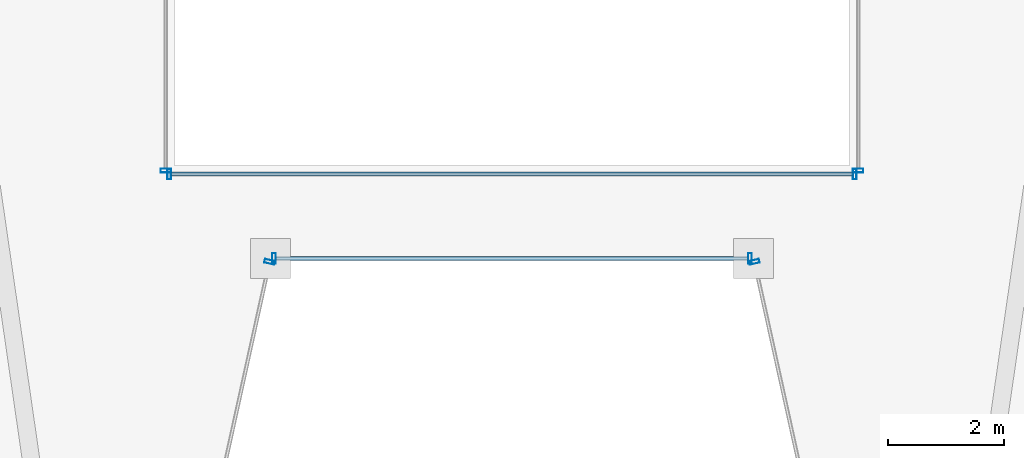
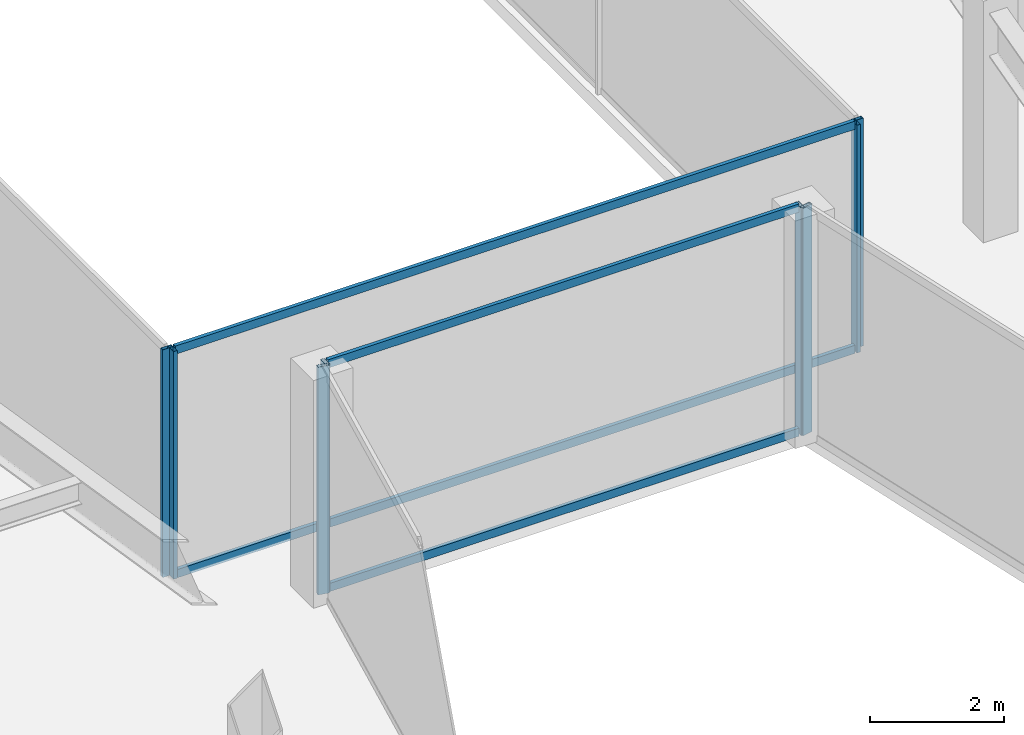
# One storey, part 7 of 37: 12 members, 6 elements without a shape of their own.
"""IFC4 building model written with IfcOpenShell, lengths in metres."""

from ifc_helpers import new_model, si_unit, direction, frame, origin, origin_2d, place, context, subcontext, project, spatial, hollow_rectangle, extrude, material, material_profile, profile_set, type_object, element, aggregate, save


model = new_model("IFC4")

# Units and contexts
model_context = context("Model", 3, precision=1e-05, world=origin(), true_north=direction((0.0, 1.0)))
body_context = subcontext(model_context, "Body", "Model", "MODEL_VIEW")
ifc_project = project(units=[si_unit("LENGTHUNIT", "METRE"), si_unit("AREAUNIT", "SQUARE_METRE"), si_unit("VOLUMEUNIT", "CUBIC_METRE"), si_unit("PLANEANGLEUNIT", "RADIAN"), si_unit("MASSUNIT", "GRAM", prefix="KILO")], contexts=[model_context])

# Site, building, storey
site_placement = place(None, origin())
site = spatial("IfcSite", under=ifc_project, at=site_placement, CompositionType="ELEMENT")
building_placement = place(site_placement, origin())
building = spatial("IfcBuilding", under=site, at=building_placement, Name="Saevonmaru Cultural Tower", CompositionType="ELEMENT")
storey_placement = place(building_placement, frame((0.0, 0.0, 110.39990234375)))
storey = spatial("IfcBuildingStorey", under=building, at=storey_placement, Name="L23", CompositionType="ELEMENT", Elevation=110.39990234375)

# Curtain wall, member
ifc_material = material(Name="Satin Bronze Anodised Aluminium", Category="aluminium")
curtain_wall_type_1 = type_object("IfcCurtainWallType", Name="CW-TYP-A", PredefinedType="NOTDEFINED", material=ifc_material)
curtain_wall_1_placement = place(storey_placement, origin())
curtain_wall_1 = element("IfcCurtainWall", 1, at=curtain_wall_1_placement, inside=storey, type_object=curtain_wall_type_1, Name="L23 Unitised Curtain Wall E3", PredefinedType="NOTDEFINED")
ifc_material_profile_1 = material_profile(ifc_material, hollow_rectangle(XDim=0.06494140625, YDim=0.179931640625, WallThickness=0.00390625, at=origin_2d()), Name="ALU-MULL-180x65x4")
ifc_profile_set_1 = profile_set([ifc_material_profile_1], Name="Satin Bronze Anodised Aluminium")
member_type_1 = type_object("IfcMemberType", Name="ML-CW-180x65", PredefinedType="MULLION", material=ifc_profile_set_1)
member_1_placement = place(storey_placement, frame((25.8359375, 20.741455078125, 0.0), z_axis=(0.0, 0.0, 1.0), x_axis=(0.215413319953, 0.976522965212, 0.0)))
member_1 = element("IfcMember", 2, at=member_1_placement, type_object=member_type_1, Name="CW-TW-L23-E3 mullion 2", PredefinedType="MULLION", context=body_context, shape_type="SweptSolid", body=[
    extrude(hollow_rectangle(XDim=0.06494140625, YDim=0.179931640625, WallThickness=0.00390625, at=origin_2d()), origin(), (0.0, 0.0, 1.0), 4.150146484375),
])
aggregate(curtain_wall_1, [member_1])

# Curtain wall, members
curtain_wall_2_placement = place(storey_placement, origin())
curtain_wall_2 = element("IfcCurtainWall", 3, at=curtain_wall_2_placement, inside=storey, type_object=curtain_wall_type_1, Name="L23 Unitised Curtain Wall E4", PredefinedType="NOTDEFINED")
member_2_placement = place(storey_placement, frame((25.908935546875, 20.800048828125, 0.0), z_axis=(0.0, 0.0, 1.0), x_axis=(1.0, 0.0, 0.0)))
member_2 = element("IfcMember", 4, at=member_2_placement, type_object=member_type_1, Name="CW-TW-L23-E4 mullion 1", PredefinedType="MULLION", context=body_context, shape_type="SweptSolid", body=[
    extrude(hollow_rectangle(XDim=0.06494140625, YDim=0.179931640625, WallThickness=0.00390625, at=origin_2d()), origin(), (0.0, 0.0, 1.0), 4.150146484375),
])
member_3_placement = place(storey_placement, frame((34.091064453125, 20.800048828125, 0.0), z_axis=(0.0, 0.0, 1.0), x_axis=(1.0, 0.0, 0.0)))
member_3 = element("IfcMember", 5, at=member_3_placement, type_object=member_type_1, Name="CW-TW-L23-E4 mullion 2", PredefinedType="MULLION", context=body_context, shape_type="SweptSolid", body=[
    extrude(hollow_rectangle(XDim=0.06494140625, YDim=0.179931640625, WallThickness=0.00390625, at=origin_2d()), origin(), (0.0, 0.0, 1.0), 4.150146484375),
])

# Curtain wall, member
curtain_wall_3_placement = place(storey_placement, origin())
curtain_wall_3 = element("IfcCurtainWall", 6, at=curtain_wall_3_placement, inside=storey, type_object=curtain_wall_type_1, Name="L23 Unitised Curtain Wall E5", PredefinedType="NOTDEFINED")
member_4_placement = place(storey_placement, frame((34.1640625, 20.741455078125, 0.0), z_axis=(0.0, 0.0, 1.0), x_axis=(0.215413319953, -0.976522965212, 0.0)))
member_4 = element("IfcMember", 7, at=member_4_placement, type_object=member_type_1, Name="CW-TW-L23-E5 mullion 1", PredefinedType="MULLION", context=body_context, shape_type="SweptSolid", body=[
    extrude(hollow_rectangle(XDim=0.06494140625, YDim=0.179931640625, WallThickness=0.00390625, at=origin_2d()), origin(), (0.0, 0.0, 1.0), 4.150146484375),
])
aggregate(curtain_wall_3, [member_4])

# Curtain wall, members
curtain_wall_type_2 = type_object("IfcCurtainWallType", Name="CW-ATR-GLZ", PredefinedType="NOTDEFINED", material=ifc_material)
curtain_wall_4_placement = place(storey_placement, origin())
curtain_wall_4 = element("IfcCurtainWall", 8, at=curtain_wall_4_placement, inside=storey, type_object=curtain_wall_type_2, Name="L23 Vertical Atrium Glazed Smoke Screen 1", PredefinedType="NOTDEFINED")
ifc_material_profile_2 = material_profile(ifc_material, hollow_rectangle(XDim=0.06494140625, YDim=0.179931640625, WallThickness=0.00390625, at=origin_2d()), Name="ALU-MULL-180x65x4")
ifc_profile_set_2 = profile_set([ifc_material_profile_2], Name="Satin Bronze Anodised Aluminium")
member_type_2 = type_object("IfcMemberType", Name="ML-CW-INT-180x65", PredefinedType="MULLION", material=ifc_profile_set_2)
member_5_placement = place(storey_placement, frame((24.110107421875, 22.25, 0.0), z_axis=(0.0, 0.0, 1.0), x_axis=(1.0, 0.0, 0.0)))
member_5 = element("IfcMember", 9, at=member_5_placement, type_object=member_type_2, Name="CW-ATR-L23-1 mullion 1", PredefinedType="MULLION", context=body_context, shape_type="SweptSolid", body=[
    extrude(hollow_rectangle(XDim=0.06494140625, YDim=0.179931640625, WallThickness=0.00390625, at=origin_2d()), origin(), (0.0, 0.0, 1.0), 4.150146484375),
])
member_6_placement = place(storey_placement, frame((35.889892578125, 22.25, 0.0), z_axis=(0.0, 0.0, 1.0), x_axis=(1.0, 0.0, 0.0)))
member_6 = element("IfcMember", 10, at=member_6_placement, type_object=member_type_2, Name="CW-ATR-L23-1 mullion 2", PredefinedType="MULLION", context=body_context, shape_type="SweptSolid", body=[
    extrude(hollow_rectangle(XDim=0.06494140625, YDim=0.179931640625, WallThickness=0.00390625, at=origin_2d()), origin(), (0.0, 0.0, 1.0), 4.150146484375),
])

# Curtain wall, member
curtain_wall_5_placement = place(storey_placement, origin())
curtain_wall_5 = element("IfcCurtainWall", 11, at=curtain_wall_5_placement, inside=storey, type_object=curtain_wall_type_2, Name="L23 Vertical Atrium Glazed Smoke Screen 2", PredefinedType="NOTDEFINED")
member_7_placement = place(storey_placement, frame((35.949951171875, 22.31005859375, 0.0), z_axis=(0.0, 0.0, 1.0), x_axis=(0.0, 1.0, 0.0)))
member_7 = element("IfcMember", 12, at=member_7_placement, type_object=member_type_2, Name="CW-ATR-L23-2 mullion 1", PredefinedType="MULLION", context=body_context, shape_type="SweptSolid", body=[
    extrude(hollow_rectangle(XDim=0.06494140625, YDim=0.179931640625, WallThickness=0.00390625, at=origin_2d()), origin(), (0.0, 0.0, 1.0), 4.150146484375),
])
aggregate(curtain_wall_5, [member_7])

curtain_wall_6_placement = place(storey_placement, origin())
curtain_wall_6 = element("IfcCurtainWall", 13, at=curtain_wall_6_placement, inside=storey, type_object=curtain_wall_type_2, Name="L23 Vertical Atrium Glazed Smoke Screen 4", PredefinedType="NOTDEFINED")
member_8_placement = place(storey_placement, frame((24.050048828125, 22.31005859375, 0.0), z_axis=(0.0, 0.0, 1.0), x_axis=(0.0, -1.0, 0.0)))
member_8 = element("IfcMember", 14, at=member_8_placement, type_object=member_type_2, Name="CW-ATR-L23-4 mullion 3", PredefinedType="MULLION", context=body_context, shape_type="SweptSolid", body=[
    extrude(hollow_rectangle(XDim=0.06494140625, YDim=0.179931640625, WallThickness=0.00390625, at=origin_2d()), origin(), (0.0, 0.0, 1.0), 4.150146484375),
])
aggregate(curtain_wall_6, [member_8])

# Member
ifc_material_profile_3 = material_profile(ifc_material, hollow_rectangle(XDim=0.06494140625, YDim=0.14990234375, WallThickness=0.00390625, at=origin_2d()), Name="ALU-TRAN-150x65x4")
ifc_profile_set_3 = profile_set([ifc_material_profile_3], Name="Satin Bronze Anodised Aluminium")
member_type_3 = type_object("IfcMemberType", Name="TR-CW-150x65", PredefinedType="USERDEFINED", material=ifc_profile_set_3)
member_9_placement = place(storey_placement, frame((25.94140625, 20.800048828125, 0.03271484375), z_axis=(1.0, 0.0, 0.0), x_axis=(0.0, 1.0, 0.0)))
member_9 = element("IfcMember", 15, at=member_9_placement, type_object=member_type_3, Name="CW-TW-L23-E4 transom 1.1", ObjectType="TRANSOM", PredefinedType="USERDEFINED", context=body_context, shape_type="SweptSolid", body=[
    extrude(hollow_rectangle(XDim=0.06494140625, YDim=0.14990234375, WallThickness=0.00390625, at=origin_2d()), origin(), (0.0, 0.0, 1.0), 8.1171875),
])

member_10_placement = place(storey_placement, frame((25.94140625, 20.800048828125, 4.11767578125), z_axis=(1.0, 0.0, 0.0), x_axis=(0.0, 1.0, 0.0)))
member_10 = element("IfcMember", 16, at=member_10_placement, type_object=member_type_3, Name="CW-TW-L23-E4 transom 1.2", ObjectType="TRANSOM", PredefinedType="USERDEFINED", context=body_context, shape_type="SweptSolid", body=[
    extrude(hollow_rectangle(XDim=0.06494140625, YDim=0.14990234375, WallThickness=0.00390625, at=origin_2d()), origin(), (0.0, 0.0, 1.0), 8.1171875),
])

aggregate(curtain_wall_2, [member_2, member_3, member_9, member_10])

ifc_material_profile_4 = material_profile(ifc_material, hollow_rectangle(XDim=0.06494140625, YDim=0.14990234375, WallThickness=0.00390625, at=origin_2d()), Name="ALU-TRAN-150x65x4")
ifc_profile_set_4 = profile_set([ifc_material_profile_4], Name="Satin Bronze Anodised Aluminium")
member_type_4 = type_object("IfcMemberType", Name="TR-CW-INT-150x65", PredefinedType="USERDEFINED", material=ifc_profile_set_4)
member_11_placement = place(storey_placement, frame((24.142578125, 22.25, 0.03271484375), z_axis=(1.0, 0.0, 0.0), x_axis=(0.0, 1.0, 0.0)))
member_11 = element("IfcMember", 17, at=member_11_placement, type_object=member_type_4, Name="CW-ATR-L23-1 transom 1.1", ObjectType="TRANSOM", PredefinedType="USERDEFINED", context=body_context, shape_type="SweptSolid", body=[
    extrude(hollow_rectangle(XDim=0.06494140625, YDim=0.14990234375, WallThickness=0.00390625, at=origin_2d()), origin(), (0.0, 0.0, 1.0), 11.71484375),
])

member_12_placement = place(storey_placement, frame((24.142578125, 22.25, 4.11767578125), z_axis=(1.0, 0.0, 0.0), x_axis=(0.0, 1.0, 0.0)))
member_12 = element("IfcMember", 18, at=member_12_placement, type_object=member_type_4, Name="CW-ATR-L23-1 transom 1.2", ObjectType="TRANSOM", PredefinedType="USERDEFINED", context=body_context, shape_type="SweptSolid", body=[
    extrude(hollow_rectangle(XDim=0.06494140625, YDim=0.14990234375, WallThickness=0.00390625, at=origin_2d()), origin(), (0.0, 0.0, 1.0), 11.71484375),
])

aggregate(curtain_wall_4, [member_5, member_6, member_11, member_12])

save(model, "model.ifc")
